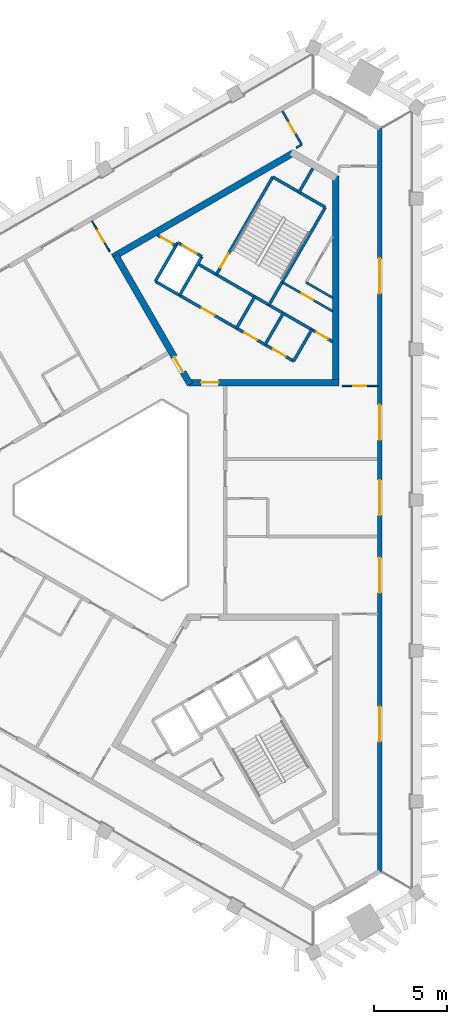
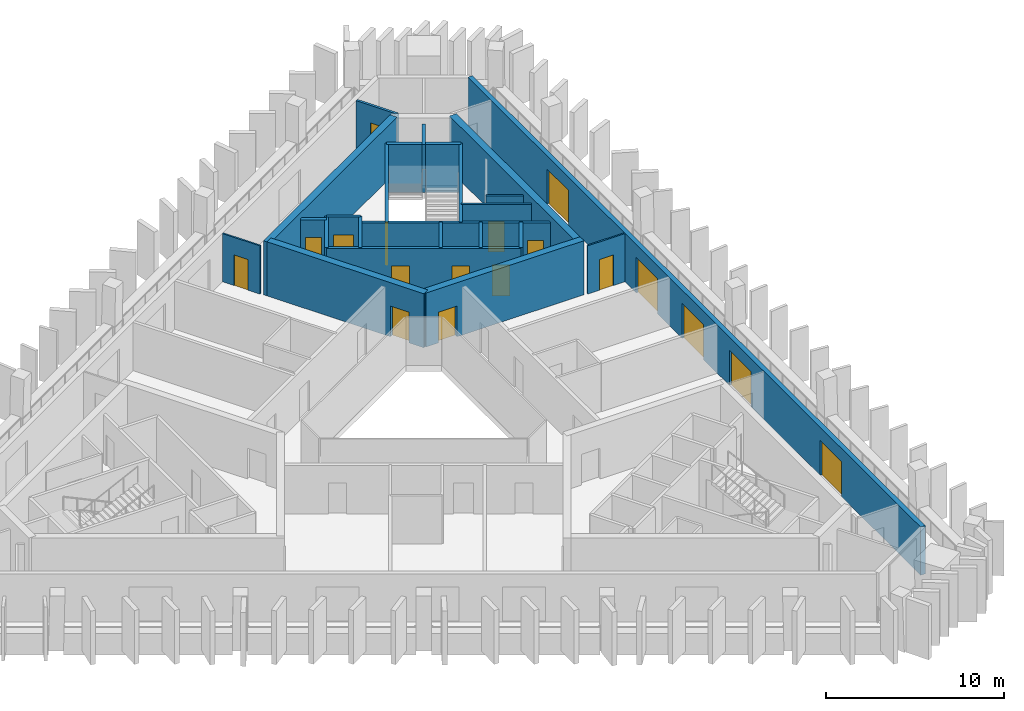
# One storey, part 5 of 9: 24 walls, 18 doors, 18 openings.
"""IFC4 building model written with IfcOpenShell, lengths in metres."""

from ifc_helpers import new_model, si_unit, direction, frame, frame_2d, origin, place, context, subcontext, project, spatial, rectangle, extrude, material, layer, layer_set, type_object, element, fill, save


model = new_model("IFC4")

# Units and contexts
model_context = context("Model", 3, precision=1e-05, world=origin(), true_north=direction((0.0, 1.0)))
body_context = subcontext(model_context, "Body", "Model", "MODEL_VIEW")
ifc_project = project(units=[si_unit("LENGTHUNIT", "METRE"), si_unit("AREAUNIT", "SQUARE_METRE"), si_unit("VOLUMEUNIT", "CUBIC_METRE"), si_unit("PLANEANGLEUNIT", "RADIAN"), si_unit("MASSUNIT", "GRAM", prefix="KILO")], contexts=[model_context])

# Site, building, storey
site_placement = place(None, origin())
site = spatial("IfcSite", under=ifc_project, at=site_placement, CompositionType="ELEMENT")
building_placement = place(site_placement, origin())
building = spatial("IfcBuilding", under=site, at=building_placement, Name="Jabali Bay Hotel Tower and Convention Centre", CompositionType="ELEMENT")
storey_placement = place(building_placement, frame((0.0, 0.0, 220.60009765625)))
storey = spatial("IfcBuildingStorey", under=building, at=storey_placement, Name="L54", CompositionType="ELEMENT", Elevation=220.60009765625)

# Wall
ifc_material_1 = material(Name="Concrete C40", Category="concrete")
ifc_layer_1 = layer(ifc_material_1, 0.199951171875)
ifc_layer_set_1 = layer_set([ifc_layer_1], Name="Concrete C40")
wall_type_1 = type_object("IfcWallType", Name="Core partition wall 200", PredefinedType="PARTITIONING", material=ifc_layer_set_1)
wall_1_placement = place(storey_placement, frame((87.090087890625, 100.9404296875, 0.0), z_axis=(0.0, 0.0, 1.0), x_axis=(0.500011643316, 0.866018681408, 0.0)))
element("IfcWall", 1, at=wall_1_placement, inside=storey, type_object=wall_type_1, Name="Core wall 1.5 L54", PredefinedType="PARTITIONING", context=body_context, shape_type="SweptSolid", body=[
    extrude(rectangle(XDim=1.97314453125, YDim=0.199951171875, at=frame_2d((0.986572265625, 0.0))), origin(), (0.0, 0.0, 1.0), 3.2998046875),
])

# Wall, opening, door
wall_2_placement = place(storey_placement, frame((78.730224609375, 97.36083984375, 0.0), z_axis=(0.0, 0.0, 1.0), x_axis=(-0.866045896294, 0.499964504253, 0.0)))
wall_2 = element("IfcWall", 2, at=wall_2_placement, inside=storey, type_object=wall_type_1, Name="Core wall 1.11 L54", PredefinedType="PARTITIONING", context=body_context, shape_type="SweptSolid", body=[
    extrude(rectangle(XDim=1.455078125, YDim=0.199951171875, at=frame_2d((0.7275390625, 0.0))), origin(), (0.0, 0.0, 1.0), 3.2998046875),
])
opening_1_placement = place(wall_2_placement, frame((0.277587890625, 0.0, 0.0)))
opening_1 = element("IfcOpeningElement", 3, at=opening_1_placement, cuts=wall_2, Name="Opening D1177", PredefinedType="OPENING", context=body_context, shape_type="SweptSolid", body=[
    extrude(rectangle(XDim=0.89990234375, YDim=2.10009765625, at=frame_2d((0.449951171875, 1.050048828125))), frame((0.0, 0.1103515625, 0.0), z_axis=(0.0, -1.0, 0.0), x_axis=(1.0, 0.0, 0.0)), (0.0, 0.0, 1.0), 0.220947265625),
])
ifc_material_2 = material(Name="Fire-rated steel door", Category="steel")
door_type_1 = type_object("IfcDoorType", Name="Vestibule fire door 900 x 2100", OperationType="NOTDEFINED", PredefinedType="NOTDEFINED", material=ifc_material_2)
door_1_placement = place(opening_1_placement, origin())
door_1 = element("IfcDoor", 4, at=door_1_placement, inside=storey, type_object=door_type_1, Name="Vestibule fire door D1177", OperationType="SINGLE_SWING_LEFT", OverallHeight=2.10009765625, OverallWidth=0.89990234375, PredefinedType="NOTDEFINED", context=body_context, shape_type="SweptSolid", body=[
    extrude(rectangle(XDim=0.89990234375, YDim=2.10009765625, at=frame_2d((0.449951171875, 1.050048828125))), frame((0.0, 0.02490234375, 0.0), z_axis=(0.0, -1.0, 0.0), x_axis=(1.0, 0.0, 0.0)), (0.0, 0.0, 1.0), 0.050048828125),
])
fill(opening_1, door_1)

ifc_material_3 = material(Name="Fire-rated board partition")
ifc_layer_2 = layer(ifc_material_3, 0.14990234375)
ifc_layer_set_2 = layer_set([ifc_layer_2], Name="Fire-rated board partition")
wall_type_2 = type_object("IfcWallType", Name="Core room partition 150", PredefinedType="PARTITIONING", material=ifc_layer_set_2)
wall_3_placement = place(storey_placement, frame((89.429931640625, 92.892333984375, 0.0), z_axis=(0.0, 0.0, 1.0), x_axis=(-0.866019912421, 0.500009511199, 0.0)))
wall_3 = element("IfcWall", 5, at=wall_3_placement, inside=storey, type_object=wall_type_2, Name="Core wall 1.13 L54", PredefinedType="PARTITIONING", context=body_context, shape_type="SweptSolid", body=[
    extrude(rectangle(XDim=3.9755859375, YDim=0.14990234375, at=frame_2d((1.98779296875, 0.0))), origin(), (0.0, 0.0, 1.0), 3.2998046875),
])
opening_2_placement = place(wall_3_placement, frame((1.537841796875, 0.0, 0.0)))
opening_2 = element("IfcOpeningElement", 6, at=opening_2_placement, cuts=wall_3, Name="Opening D1176", PredefinedType="OPENING", context=body_context, shape_type="SweptSolid", body=[
    extrude(rectangle(XDim=0.89990234375, YDim=2.10009765625, at=frame_2d((0.449951171875, 1.050048828125))), frame((0.0, 0.08544921875, 0.0), z_axis=(0.0, -1.0, 0.0), x_axis=(1.0, 0.0, 0.0)), (0.0, 0.0, 1.0), 0.1708984375),
])
door_type_2 = type_object("IfcDoorType", Name="Core room door 900 x 2100", OperationType="NOTDEFINED", PredefinedType="NOTDEFINED", material=ifc_material_2)
door_2_placement = place(opening_2_placement, origin())
door_2 = element("IfcDoor", 7, at=door_2_placement, inside=storey, type_object=door_type_2, Name="Core room door D1176", OperationType="SINGLE_SWING_RIGHT", OverallHeight=2.10009765625, OverallWidth=0.89990234375, PredefinedType="NOTDEFINED", context=body_context, shape_type="SweptSolid", body=[
    extrude(rectangle(XDim=0.89990234375, YDim=2.10009765625, at=frame_2d((0.449951171875, 1.050048828125))), frame((0.0, 0.02490234375, 0.0), z_axis=(0.0, -1.0, 0.0), x_axis=(1.0, 0.0, 0.0)), (0.0, 0.0, 1.0), 0.050048828125),
])
fill(opening_2, door_2)

# Walls
wall_4_placement = place(storey_placement, frame((89.429931640625, 93.81591796875, 0.0), z_axis=(0.0, 0.0, 1.0), x_axis=(-0.866004557827, 0.500036104519, 0.0)))
element("IfcWall", 8, at=wall_4_placement, inside=storey, type_object=wall_type_2, Name="Core wall 1.14 L54", PredefinedType="PARTITIONING", context=body_context, shape_type="SweptSolid", body=[
    extrude(rectangle(XDim=2.088623046875, YDim=0.14990234375, at=frame_2d((1.04443359375, 0.0))), origin(), (0.0, 0.0, 1.0), 3.2998046875),
])
ifc_layer_3 = layer(ifc_material_1, 0.199951171875)
ifc_layer_set_3 = layer_set([ifc_layer_3], Name="Concrete C40")
wall_type_3 = type_object("IfcWallType", Name="Core stair wall 200", PredefinedType="SOLIDWALL", material=ifc_layer_set_3)
for number, where, z_axis, x_axis, name in (
    (9, (86.769775390625, 89.48583984375, 0.0), (0.0, 0.0, 1.0), (0.499961042966, 0.86604789447, 0.0), "Core wall 1.0 L54"),
    (10, (84.8212890625, 90.61083984375, 0.0), (0.0, 0.0, 1.0), (0.499961042966, 0.86604789447, 0.0), "Core wall 1.2 L54"),
):
    element("IfcWall", number, at=place(storey_placement, frame(where, z_axis=z_axis, x_axis=x_axis)), inside=storey, type_object=wall_type_3, Name=name, PredefinedType="SOLIDWALL", context=body_context, shape_type="SweptSolid", body=[
        extrude(rectangle(XDim=2.480224609375, YDim=0.199951171875, at=frame_2d((1.240234375, 0.0))), origin(), (0.0, 0.0, 1.0), 3.2998046875),
    ])
wall_5_placement = place(storey_placement, frame((85.0869140625, 93.3212890625, 0.0), z_axis=(0.0, 0.0, 1.0), x_axis=(0.500019787375, 0.866013979237, 0.0)))
element("IfcWall", 11, at=wall_5_placement, inside=storey, type_object=wall_type_3, Name="Core wall 1.3 L54", PredefinedType="SOLIDWALL", context=body_context, shape_type="SweptSolid", body=[
    extrude(rectangle(XDim=7.699951171875, YDim=0.199951171875, at=frame_2d((3.85009765625, 0.0))), origin(), (0.0, 0.0, 1.0), 3.2998046875),
])
wall_6_placement = place(storey_placement, frame((82.872802734375, 91.73583984375, 0.0), z_axis=(0.0, 0.0, 1.0), x_axis=(0.499961042966, 0.86604789447, 0.0)))
element("IfcWall", 12, at=wall_6_placement, inside=storey, type_object=wall_type_3, Name="Core wall 1.4 L54", PredefinedType="SOLIDWALL", context=body_context, shape_type="SweptSolid", body=[
    extrude(rectangle(XDim=2.480224609375, YDim=0.199951171875, at=frame_2d((1.240234375, 0.0))), origin(), (0.0, 0.0, 1.0), 3.2998046875),
])

# Wall, opening, door
wall_7_placement = place(storey_placement, frame((81.492919921875, 95.396240234375, 0.0), z_axis=(0.0, 0.0, 1.0), x_axis=(0.500006057782, 0.866021906294, 0.0)))
wall_7 = element("IfcWall", 13, at=wall_7_placement, inside=storey, type_object=wall_type_3, Name="Core wall 1.6 L54", PredefinedType="SOLIDWALL", context=body_context, shape_type="SweptSolid", body=[
    extrude(rectangle(XDim=7.7001953125, YDim=0.199951171875, at=frame_2d((3.85009765625, 0.0))), origin(), (0.0, 0.0, 1.0), 3.2998046875),
])
opening_3_placement = place(wall_7_placement, frame((0.550048828125, 0.0, 0.0)))
opening_3 = element("IfcOpeningElement", 14, at=opening_3_placement, cuts=wall_7, Name="Opening D1179", PredefinedType="OPENING", context=body_context, shape_type="SweptSolid", body=[
    extrude(rectangle(XDim=1.10009765625, YDim=2.10009765625, at=frame_2d((0.550048828125, 1.050048828125))), frame((0.0, 0.1103515625, 0.0), z_axis=(0.0, -1.0, 0.0), x_axis=(1.0, 0.0, 0.0)), (0.0, 0.0, 1.0), 0.220947265625),
])
door_type_3 = type_object("IfcDoorType", Name="Stair fire door 1100 x 2100", OperationType="NOTDEFINED", PredefinedType="NOTDEFINED", material=ifc_material_2)
door_3_placement = place(opening_3_placement, origin())
door_3 = element("IfcDoor", 15, at=door_3_placement, inside=storey, type_object=door_type_3, Name="Stair fire door D1179", OperationType="SINGLE_SWING_RIGHT", OverallHeight=2.10009765625, OverallWidth=1.10009765625, PredefinedType="NOTDEFINED", context=body_context, shape_type="SweptSolid", body=[
    extrude(rectangle(XDim=1.10009765625, YDim=2.10009765625, at=frame_2d((0.550048828125, 1.050048828125))), frame((0.0, 0.02490234375, 0.0), z_axis=(0.0, -1.0, 0.0), x_axis=(1.0, 0.0, 0.0)), (0.0, 0.0, 1.0), 0.050048828125),
])
fill(opening_3, door_3)

# Walls
for number, where, z_axis, x_axis, name in (
    (16, (78.9755859375, 93.98583984375, 0.0), (0.0, 0.0, 1.0), (0.499944174705, 0.866057632134, 0.0), "Core wall 1.7 L54"),
    (17, (77.330078125, 94.93603515625, 0.0), (0.0, 0.0, 1.0), (0.500038867431, 0.8660029625, 0.0), "Core wall 1.8 L54"),
):
    element("IfcWall", number, at=place(storey_placement, frame(where, z_axis=z_axis, x_axis=x_axis)), inside=storey, type_object=wall_type_3, Name=name, PredefinedType="SOLIDWALL", context=body_context, shape_type="SweptSolid", body=[
        extrude(rectangle(XDim=3.050048828125, YDim=0.199951171875, at=frame_2d((1.52490234375, 0.0))), origin(), (0.0, 0.0, 1.0), 3.2998046875),
    ])

# Wall, openings, doors
wall_8_placement = place(storey_placement, frame((86.769775390625, 89.48583984375, 0.0), z_axis=(0.0, 0.0, 1.0), x_axis=(-0.86601811187, 0.500012629753, 0.0)))
wall_8 = element("IfcWall", 18, at=wall_8_placement, inside=storey, type_object=wall_type_3, Name="Core wall 1.9 L54", PredefinedType="SOLIDWALL", context=body_context, shape_type="SweptSolid", body=[
    extrude(rectangle(XDim=10.900146484375, YDim=0.199951171875, at=frame_2d((5.4501953125, 0.0))), origin(), (0.0, 0.0, 1.0), 3.2998046875),
])
opening_4_placement = place(wall_8_placement, frame((0.625, 0.0, 0.0)))
opening_4 = element("IfcOpeningElement", 19, at=opening_4_placement, cuts=wall_8, Name="Opening D1173", PredefinedType="OPENING", context=body_context, shape_type="SweptSolid", body=[
    extrude(rectangle(XDim=1.0, YDim=2.10009765625, at=frame_2d((0.5, 1.050048828125))), frame((0.0, 0.1103515625, 0.0), z_axis=(0.0, -1.0, 0.0), x_axis=(1.0, 0.0, 0.0)), (0.0, 0.0, 1.0), 0.220947265625),
])
opening_5_placement = place(wall_8_placement, frame((2.875, 0.0, 0.0)))
opening_5 = element("IfcOpeningElement", 20, at=opening_5_placement, cuts=wall_8, Name="Opening D1174", PredefinedType="OPENING", context=body_context, shape_type="SweptSolid", body=[
    extrude(rectangle(XDim=1.0, YDim=2.10009765625, at=frame_2d((0.5, 1.050048828125))), frame((0.0, 0.1103515625, 0.0), z_axis=(0.0, -1.0, 0.0), x_axis=(1.0, 0.0, 0.0)), (0.0, 0.0, 1.0), 0.220947265625),
])
opening_6_placement = place(wall_8_placement, frame((6.25, 0.0, 0.0)))
opening_6 = element("IfcOpeningElement", 21, at=opening_6_placement, cuts=wall_8, Name="Opening D1175", PredefinedType="OPENING", context=body_context, shape_type="SweptSolid", body=[
    extrude(rectangle(XDim=1.0, YDim=2.10009765625, at=frame_2d((0.5, 1.050048828125))), frame((0.0, 0.1103515625, 0.0), z_axis=(0.0, -1.0, 0.0), x_axis=(1.0, 0.0, 0.0)), (0.0, 0.0, 1.0), 0.220947265625),
])
door_type_4 = type_object("IfcDoorType", Name="Core room door 1000 x 2100", OperationType="NOTDEFINED", PredefinedType="NOTDEFINED", material=ifc_material_2)
door_4_placement = place(opening_4_placement, origin())
door_4 = element("IfcDoor", 22, at=door_4_placement, inside=storey, type_object=door_type_4, Name="Core room door D1173", OperationType="SINGLE_SWING_RIGHT", OverallHeight=2.10009765625, OverallWidth=1.0, PredefinedType="NOTDEFINED", context=body_context, shape_type="SweptSolid", body=[
    extrude(rectangle(XDim=1.0, YDim=2.10009765625, at=frame_2d((0.5, 1.050048828125))), frame((0.0, 0.02490234375, 0.0), z_axis=(0.0, -1.0, 0.0), x_axis=(1.0, 0.0, 0.0)), (0.0, 0.0, 1.0), 0.050048828125),
])
fill(opening_4, door_4)
door_5_placement = place(opening_5_placement, origin())
door_5 = element("IfcDoor", 23, at=door_5_placement, inside=storey, type_object=door_type_4, Name="Core room door D1174", OperationType="SINGLE_SWING_RIGHT", OverallHeight=2.10009765625, OverallWidth=1.0, PredefinedType="NOTDEFINED", context=body_context, shape_type="SweptSolid", body=[
    extrude(rectangle(XDim=1.0, YDim=2.10009765625, at=frame_2d((0.5, 1.050048828125))), frame((0.0, 0.02490234375, 0.0), z_axis=(0.0, -1.0, 0.0), x_axis=(1.0, 0.0, 0.0)), (0.0, 0.0, 1.0), 0.050048828125),
])
fill(opening_5, door_5)
door_6_placement = place(opening_6_placement, origin())
door_6 = element("IfcDoor", 24, at=door_6_placement, inside=storey, type_object=door_type_4, Name="Core room door D1175", OperationType="SINGLE_SWING_RIGHT", OverallHeight=2.10009765625, OverallWidth=1.0, PredefinedType="NOTDEFINED", context=body_context, shape_type="SweptSolid", body=[
    extrude(rectangle(XDim=1.0, YDim=2.10009765625, at=frame_2d((0.5, 1.050048828125))), frame((0.0, 0.02490234375, 0.0), z_axis=(0.0, -1.0, 0.0), x_axis=(1.0, 0.0, 0.0)), (0.0, 0.0, 1.0), 0.050048828125),
])
fill(opening_6, door_6)

# Wall, opening, door
wall_9_placement = place(storey_placement, frame((89.429931640625, 90.813720703125, 0.0), z_axis=(0.0, 0.0, 1.0), x_axis=(-0.866018983788, 0.500011119594, 0.0)))
wall_9 = element("IfcWall", 25, at=wall_9_placement, inside=storey, type_object=wall_type_3, Name="Core wall 1.10 L54", PredefinedType="SOLIDWALL", context=body_context, shape_type="SweptSolid", body=[
    extrude(rectangle(XDim=10.639892578125, YDim=0.199951171875, at=frame_2d((5.31982421875, 0.0))), origin(), (0.0, 0.0, 1.0), 3.2998046875),
])
opening_7_placement = place(wall_9_placement, frame((0.369873046875, 0.0, 0.0)))
opening_7 = element("IfcOpeningElement", 26, at=opening_7_placement, cuts=wall_9, Name="Opening D1178", PredefinedType="OPENING", context=body_context, shape_type="SweptSolid", body=[
    extrude(rectangle(XDim=0.89990234375, YDim=2.10009765625, at=frame_2d((0.449951171875, 1.050048828125))), frame((0.0, 0.1103515625, 0.0), z_axis=(0.0, -1.0, 0.0), x_axis=(1.0, 0.0, 0.0)), (0.0, 0.0, 1.0), 0.220947265625),
])
door_7_placement = place(opening_7_placement, origin())
door_7 = element("IfcDoor", 27, at=door_7_placement, inside=storey, type_object=door_type_1, Name="Vestibule fire door D1178", OperationType="SINGLE_SWING_LEFT", OverallHeight=2.10009765625, OverallWidth=0.89990234375, PredefinedType="NOTDEFINED", context=body_context, shape_type="SweptSolid", body=[
    extrude(rectangle(XDim=0.89990234375, YDim=2.10009765625, at=frame_2d((0.449951171875, 1.050048828125))), frame((0.0, 0.02490234375, 0.0), z_axis=(0.0, -1.0, 0.0), x_axis=(1.0, 0.0, 0.0)), (0.0, 0.0, 1.0), 0.050048828125),
])
fill(opening_7, door_7)

wall_10_placement = place(storey_placement, frame((80.50048828125, 96.62744140625, 0.0), z_axis=(0.0, 0.0, 1.0), x_axis=(-0.86601224135, 0.500022797313, 0.0)))
wall_10 = element("IfcWall", 28, at=wall_10_placement, inside=storey, type_object=wall_type_3, Name="Core wall 1.12 L54", PredefinedType="SOLIDWALL", context=body_context, shape_type="SweptSolid", body=[
    extrude(rectangle(XDim=1.89990234375, YDim=0.199951171875, at=frame_2d((0.949951171875, 0.0))), origin(), (0.0, 0.0, 1.0), 3.2998046875),
])
opening_8_placement = place(wall_10_placement, frame((0.39990234375, 0.0, 0.0)))
opening_8 = element("IfcOpeningElement", 29, at=opening_8_placement, cuts=wall_10, Name="Opening LD10-L54", PredefinedType="OPENING", context=body_context, shape_type="SweptSolid", body=[
    extrude(rectangle(XDim=1.10009765625, YDim=2.10009765625, at=frame_2d((0.550048828125, 1.050048828125))), frame((0.0, 0.1103515625, 0.0), z_axis=(0.0, -1.0, 0.0), x_axis=(1.0, 0.0, 0.0)), (0.0, 0.0, 1.0), 0.220947265625),
])
ifc_material_4 = material(Name="Stainless steel landing door", Category="steel")
door_type_5 = type_object("IfcDoorType", Name="Landing door 1100 x 2100", OperationType="NOTDEFINED", PredefinedType="NOTDEFINED", material=ifc_material_4)
door_8_placement = place(opening_8_placement, origin())
door_8 = element("IfcDoor", 30, at=door_8_placement, inside=storey, type_object=door_type_5, Name="Landing doors LD10-L54", OperationType="SLIDING_TO_RIGHT", OverallHeight=2.10009765625, OverallWidth=1.10009765625, PredefinedType="NOTDEFINED", context=body_context, shape_type="SweptSolid", body=[
    extrude(rectangle(XDim=1.10009765625, YDim=2.10009765625, at=frame_2d((0.550048828125, 1.050048828125))), frame((0.0, 0.02490234375, 0.0), z_axis=(0.0, -1.0, 0.0), x_axis=(1.0, 0.0, 0.0)), (0.0, 0.0, 1.0), 0.050048828125),
])
fill(opening_8, door_8)

# Wall
wall_11_placement = place(storey_placement, frame((88.93701171875, 99.989501953125, 0.0), z_axis=(0.0, 0.0, 1.0), x_axis=(-0.866004344652, 0.500036473714, 0.0)))
element("IfcWall", 31, at=wall_11_placement, inside=storey, type_object=wall_type_3, Name="Core wall 1.15 L54", PredefinedType="SOLIDWALL", context=body_context, shape_type="SweptSolid", body=[
    extrude(rectangle(XDim=4.150146484375, YDim=0.199951171875, at=frame_2d((2.0751953125, 0.0))), origin(), (0.0, 0.0, 1.0), 3.2998046875),
])

# Wall, opening, door
ifc_material_5 = material(Name="Concrete C60", Category="concrete")
ifc_layer_4 = layer(ifc_material_5, 0.449951171875)
ifc_layer_set_4 = layer_set([ifc_layer_4], Name="Concrete C60")
wall_type_4 = type_object("IfcWallType", Name="Core wall 450", PredefinedType="SHEAR", material=ifc_layer_set_4)
wall_12_placement = place(storey_placement, frame((79.6298828125, 88.019287109375, 0.0), z_axis=(0.0, 0.0, 1.0), x_axis=(1.0, 0.0, 0.0)))
wall_12 = element("IfcWall", 32, at=wall_12_placement, inside=storey, type_object=wall_type_4, Name="Core wall 2.1 L54", PredefinedType="SHEAR", context=body_context, shape_type="SweptSolid", body=[
    extrude(rectangle(XDim=10.25, YDim=0.449951171875, at=frame_2d((5.125, 0.0))), origin(), (0.0, 0.0, 1.0), 3.699951171875),
])
opening_9_placement = place(wall_12_placement, frame((0.820068359375, 0.0, 0.0)))
opening_9 = element("IfcOpeningElement", 33, at=opening_9_placement, cuts=wall_12, Name="Opening D1171", PredefinedType="OPENING", context=body_context, shape_type="SweptSolid", body=[
    extrude(rectangle(XDim=1.199951171875, YDim=2.10009765625, at=frame_2d((0.60009765625, 1.050048828125))), frame((0.0, 0.2353515625, 0.0), z_axis=(0.0, -1.0, 0.0), x_axis=(1.0, 0.0, 0.0)), (0.0, 0.0, 1.0), 0.470947265625),
])
door_type_6 = type_object("IfcDoorType", Name="Corridor end fire door 1200 x 2100", OperationType="NOTDEFINED", PredefinedType="NOTDEFINED", material=ifc_material_2)
door_9_placement = place(opening_9_placement, origin())
door_9 = element("IfcDoor", 34, at=door_9_placement, inside=storey, type_object=door_type_6, Name="Corridor end fire door D1171", OperationType="SINGLE_SWING_RIGHT", OverallHeight=2.10009765625, OverallWidth=1.199951171875, PredefinedType="NOTDEFINED", context=body_context, shape_type="SweptSolid", body=[
    extrude(rectangle(XDim=1.199951171875, YDim=2.10009765625, at=frame_2d((0.60009765625, 1.050048828125))), frame((0.0, 0.02490234375, 0.0), z_axis=(0.0, -1.0, 0.0), x_axis=(1.0, 0.0, 0.0)), (0.0, 0.0, 1.0), 0.050048828125),
])
fill(opening_9, door_9)

# Walls
wall_13_placement = place(storey_placement, frame((89.655029296875, 88.019287109375, 0.0), z_axis=(0.0, 0.0, 1.0), x_axis=(0.0, 1.0, 0.0)))
element("IfcWall", 35, at=wall_13_placement, inside=storey, type_object=wall_type_4, Name="Core wall 2.2 L54", PredefinedType="SHEAR", context=body_context, shape_type="SweptSolid", body=[
    extrude(rectangle(XDim=14.1083984375, YDim=0.449951171875, at=frame_2d((7.05419921875, 0.0))), origin(), (0.0, 0.0, 1.0), 3.699951171875),
])
wall_14_placement = place(storey_placement, frame((86.72314453125, 103.6904296875, 0.0), z_axis=(0.0, 0.0, 1.0), x_axis=(-0.866022713978, -0.500004658852, 0.0)))
element("IfcWall", 36, at=wall_14_placement, inside=storey, type_object=wall_type_4, Name="Core wall 2.4 L54", PredefinedType="SHEAR", context=body_context, shape_type="SweptSolid", body=[
    extrude(rectangle(XDim=14.203369140625, YDim=0.449951171875, at=frame_2d((7.1015625, 0.0))), origin(), (0.0, 0.0, 1.0), 3.699951171875),
])

# Wall, opening, door
wall_15_placement = place(storey_placement, frame((74.617431640625, 96.701171875, 0.0), z_axis=(0.0, 0.0, 1.0), x_axis=(0.499994385119, -0.866028645513, 0.0)))
wall_15 = element("IfcWall", 37, at=wall_15_placement, inside=storey, type_object=wall_type_4, Name="Core wall 2.5 L54", PredefinedType="SHEAR", context=body_context, shape_type="SweptSolid", body=[
    extrude(rectangle(XDim=10.15478515625, YDim=0.449951171875, at=frame_2d((5.077392578125, 0.0))), origin(), (0.0, 0.0, 1.0), 3.699951171875),
])
opening_10_placement = place(wall_15_placement, frame((8.0048828125, 0.0, 0.0)))
opening_10 = element("IfcOpeningElement", 38, at=opening_10_placement, cuts=wall_15, Name="Opening D1172", PredefinedType="OPENING", context=body_context, shape_type="SweptSolid", body=[
    extrude(rectangle(XDim=1.199951171875, YDim=2.10009765625, at=frame_2d((0.60009765625, 1.050048828125))), frame((0.0, 0.2353515625, 0.0), z_axis=(0.0, -1.0, 0.0), x_axis=(1.0, 0.0, 0.0)), (0.0, 0.0, 1.0), 0.470947265625),
])
door_10_placement = place(opening_10_placement, origin())
door_10 = element("IfcDoor", 39, at=door_10_placement, inside=storey, type_object=door_type_6, Name="Corridor end fire door D1172", OperationType="SINGLE_SWING_LEFT", OverallHeight=2.10009765625, OverallWidth=1.199951171875, PredefinedType="NOTDEFINED", context=body_context, shape_type="SweptSolid", body=[
    extrude(rectangle(XDim=1.199951171875, YDim=2.10009765625, at=frame_2d((0.60009765625, 1.050048828125))), frame((0.0, 0.02490234375, 0.0), z_axis=(0.0, -1.0, 0.0), x_axis=(1.0, 0.0, 0.0)), (0.0, 0.0, 1.0), 0.050048828125),
])
fill(opening_10, door_10)

# Wall, openings, doors
ifc_layer_5 = layer(ifc_material_1, 0.300048828125)
ifc_layer_set_5 = layer_set([ifc_layer_5], Name="Concrete C40")
wall_type_5 = type_object("IfcWallType", Name="External wall 300", PredefinedType="SOLIDWALL", material=ifc_layer_set_5)
wall_16_placement = place(storey_placement, frame((92.652099609375, 105.381103515625, 0.0), z_axis=(0.0, 0.0, 1.0), x_axis=(0.0, -1.0, 0.0)))
wall_16 = element("IfcWall", 40, at=wall_16_placement, inside=storey, type_object=wall_type_5, Name="External wall east face L54", PredefinedType="SOLIDWALL", context=body_context, shape_type="SweptSolid", body=[
    extrude(rectangle(XDim=50.76220703125, YDim=0.300048828125, at=frame_2d((25.381103515625, 0.0))), origin(), (0.0, 0.0, 1.0), 3.2998046875),
])
opening_11_placement = place(wall_16_placement, frame((29.3251953125, 0.0, 0.0)))
opening_11 = element("IfcOpeningElement", 41, at=opening_11_placement, cuts=wall_16, Name="Opening SD1", PredefinedType="OPENING", context=body_context, shape_type="SweptSolid", body=[
    extrude(rectangle(XDim=2.39990234375, YDim=2.39990234375, at=frame_2d((1.199951171875, 1.199951171875))), frame((0.0, 0.16064453125, 0.0), z_axis=(0.0, -1.0, 0.0), x_axis=(1.0, 0.0, 0.0)), (0.0, 0.0, 1.0), 0.321044921875),
])
opening_12_placement = place(wall_16_placement, frame((39.49169921875, 0.0, 0.0)))
opening_12 = element("IfcOpeningElement", 42, at=opening_12_placement, cuts=wall_16, Name="Opening SD1", PredefinedType="OPENING", context=body_context, shape_type="SweptSolid", body=[
    extrude(rectangle(XDim=2.39990234375, YDim=2.39990234375, at=frame_2d((1.199951171875, 1.199951171875))), frame((0.0, 0.16064453125, 0.0), z_axis=(0.0, -1.0, 0.0), x_axis=(1.0, 0.0, 0.0)), (0.0, 0.0, 1.0), 0.321044921875),
])
opening_13_placement = place(wall_16_placement, frame((18.881103515625, 0.0, 0.0)))
opening_13 = element("IfcOpeningElement", 43, at=opening_13_placement, cuts=wall_16, Name="Opening SD1", PredefinedType="OPENING", context=body_context, shape_type="SweptSolid", body=[
    extrude(rectangle(XDim=2.39990234375, YDim=2.39990234375, at=frame_2d((1.199951171875, 1.199951171875))), frame((0.0, 0.16064453125, 0.0), z_axis=(0.0, -1.0, 0.0), x_axis=(1.0, 0.0, 0.0)), (0.0, 0.0, 1.0), 0.321044921875),
])
opening_14_placement = place(wall_16_placement, frame((8.8779296875, 0.0, 0.0)))
opening_14 = element("IfcOpeningElement", 44, at=opening_14_placement, cuts=wall_16, Name="Opening SD1", PredefinedType="OPENING", context=body_context, shape_type="SweptSolid", body=[
    extrude(rectangle(XDim=2.39990234375, YDim=2.39990234375, at=frame_2d((1.199951171875, 1.199951171875))), frame((0.0, 0.16064453125, 0.0), z_axis=(0.0, -1.0, 0.0), x_axis=(1.0, 0.0, 0.0)), (0.0, 0.0, 1.0), 0.321044921875),
])
opening_15_placement = place(wall_16_placement, frame((24.025146484375, 0.0, 0.0)))
opening_15 = element("IfcOpeningElement", 45, at=opening_15_placement, cuts=wall_16, Name="Opening SD1", PredefinedType="OPENING", context=body_context, shape_type="SweptSolid", body=[
    extrude(rectangle(XDim=2.39990234375, YDim=2.39990234375, at=frame_2d((1.199951171875, 1.199951171875))), frame((0.0, 0.16064453125, 0.0), z_axis=(0.0, -1.0, 0.0), x_axis=(1.0, 0.0, 0.0)), (0.0, 0.0, 1.0), 0.321044921875),
])
ifc_material_6 = material(Name="Glass", Category="glass")
door_type_7 = type_object("IfcDoorType", Name="Loggia sliding door 2400 x 2400", OperationType="NOTDEFINED", PredefinedType="NOTDEFINED", material=ifc_material_6)
door_11_placement = place(opening_11_placement, origin())
door_11 = element("IfcDoor", 46, at=door_11_placement, inside=storey, type_object=door_type_7, Name="Loggia sliding door 5401", OperationType="SLIDING_TO_LEFT", OverallHeight=2.39990234375, OverallWidth=2.39990234375, PredefinedType="NOTDEFINED", context=body_context, shape_type="SweptSolid", body=[
    extrude(rectangle(XDim=2.39990234375, YDim=2.39990234375, at=frame_2d((1.199951171875, 1.199951171875))), frame((0.0, 0.02490234375, 0.0), z_axis=(0.0, -1.0, 0.0), x_axis=(1.0, 0.0, 0.0)), (0.0, 0.0, 1.0), 0.050048828125),
])
fill(opening_11, door_11)
door_12_placement = place(opening_12_placement, origin())
door_12 = element("IfcDoor", 47, at=door_12_placement, inside=storey, type_object=door_type_7, Name="Loggia sliding door 5401", OperationType="SLIDING_TO_RIGHT", OverallHeight=2.39990234375, OverallWidth=2.39990234375, PredefinedType="NOTDEFINED", context=body_context, shape_type="SweptSolid", body=[
    extrude(rectangle(XDim=2.39990234375, YDim=2.39990234375, at=frame_2d((1.199951171875, 1.199951171875))), frame((0.0, 0.02490234375, 0.0), z_axis=(0.0, -1.0, 0.0), x_axis=(1.0, 0.0, 0.0)), (0.0, 0.0, 1.0), 0.050048828125),
])
fill(opening_12, door_12)
door_13_placement = place(opening_13_placement, origin())
door_13 = element("IfcDoor", 48, at=door_13_placement, inside=storey, type_object=door_type_7, Name="Loggia sliding door 5403", OperationType="SLIDING_TO_LEFT", OverallHeight=2.39990234375, OverallWidth=2.39990234375, PredefinedType="NOTDEFINED", context=body_context, shape_type="SweptSolid", body=[
    extrude(rectangle(XDim=2.39990234375, YDim=2.39990234375, at=frame_2d((1.199951171875, 1.199951171875))), frame((0.0, 0.02490234375, 0.0), z_axis=(0.0, -1.0, 0.0), x_axis=(1.0, 0.0, 0.0)), (0.0, 0.0, 1.0), 0.050048828125),
])
fill(opening_13, door_13)
door_14_placement = place(opening_14_placement, origin())
door_14 = element("IfcDoor", 49, at=door_14_placement, inside=storey, type_object=door_type_7, Name="Loggia sliding door 5403", OperationType="SLIDING_TO_RIGHT", OverallHeight=2.39990234375, OverallWidth=2.39990234375, PredefinedType="NOTDEFINED", context=body_context, shape_type="SweptSolid", body=[
    extrude(rectangle(XDim=2.39990234375, YDim=2.39990234375, at=frame_2d((1.199951171875, 1.199951171875))), frame((0.0, 0.02490234375, 0.0), z_axis=(0.0, -1.0, 0.0), x_axis=(1.0, 0.0, 0.0)), (0.0, 0.0, 1.0), 0.050048828125),
])
fill(opening_14, door_14)
door_15_placement = place(opening_15_placement, origin())
door_15 = element("IfcDoor", 50, at=door_15_placement, inside=storey, type_object=door_type_7, Name="Loggia sliding door 5402", OperationType="SLIDING_TO_LEFT", OverallHeight=2.39990234375, OverallWidth=2.39990234375, PredefinedType="NOTDEFINED", context=body_context, shape_type="SweptSolid", body=[
    extrude(rectangle(XDim=2.39990234375, YDim=2.39990234375, at=frame_2d((1.199951171875, 1.199951171875))), frame((0.0, 0.02490234375, 0.0), z_axis=(0.0, -1.0, 0.0), x_axis=(1.0, 0.0, 0.0)), (0.0, 0.0, 1.0), 0.050048828125),
])
fill(opening_15, door_15)

# Wall, opening, door
ifc_material_7 = material(Name="Plasterboard on steel stud", Category="steel")
ifc_layer_6 = layer(ifc_material_7, 0.10009765625)
ifc_layer_set_6 = layer_set([ifc_layer_6], Name="Plasterboard on steel stud")
wall_type_6 = type_object("IfcWallType", Name="Partition 100 unit", PredefinedType="PARTITIONING", material=ifc_layer_set_6)
wall_17_placement = place(storey_placement, frame((92.5029296875, 87.794189453125, 0.0), z_axis=(0.0, 0.0, 1.0), x_axis=(-1.0, 0.0, 0.0)))
wall_17 = element("IfcWall", 51, at=wall_17_placement, inside=storey, type_object=wall_type_6, Name="Partition P02 L54 010", PredefinedType="PARTITIONING", context=body_context, shape_type="SweptSolid", body=[
    extrude(rectangle(XDim=2.423828125, YDim=0.10009765625, at=frame_2d((1.2119140625, 0.0))), origin(), (0.0, 0.0, 1.0), 3.2998046875),
])
opening_16_placement = place(wall_17_placement, frame((0.761962890625, 0.0, 0.0)))
opening_16 = element("IfcOpeningElement", 52, at=opening_16_placement, cuts=wall_17, Name="Opening 5407", PredefinedType="OPENING", context=body_context, shape_type="SweptSolid", body=[
    extrude(rectangle(XDim=0.89990234375, YDim=2.10009765625, at=frame_2d((0.449951171875, 1.050048828125))), frame((0.0, 0.060546875, 0.0), z_axis=(0.0, -1.0, 0.0), x_axis=(1.0, 0.0, 0.0)), (0.0, 0.0, 1.0), 0.12109375),
])
ifc_material_8 = material(Name="Timber", Category="wood")
door_type_8 = type_object("IfcDoorType", Name="Internal door 900 x 2100", OperationType="NOTDEFINED", PredefinedType="NOTDEFINED", material=ifc_material_8)
door_16_placement = place(opening_16_placement, origin())
door_16 = element("IfcDoor", 53, at=door_16_placement, inside=storey, type_object=door_type_8, Name="Door 5407", OperationType="SINGLE_SWING_RIGHT", OverallHeight=2.10009765625, OverallWidth=0.89990234375, PredefinedType="NOTDEFINED", context=body_context, shape_type="SweptSolid", body=[
    extrude(rectangle(XDim=0.89990234375, YDim=2.10009765625, at=frame_2d((0.449951171875, 1.050048828125))), frame((0.0, 0.02490234375, 0.0), z_axis=(0.0, -1.0, 0.0), x_axis=(1.0, 0.0, 0.0)), (0.0, 0.0, 1.0), 0.050048828125),
])
fill(opening_16, door_16)

wall_18_placement = place(storey_placement, frame((74.21044921875, 96.955810546875, 0.0), z_axis=(0.0, 0.0, 1.0), x_axis=(-0.49995203611, 0.866053093978, 0.0)))
wall_18 = element("IfcWall", 54, at=wall_18_placement, inside=storey, type_object=wall_type_6, Name="Partition P02 L54 014", PredefinedType="PARTITIONING", context=body_context, shape_type="SweptSolid", body=[
    extrude(rectangle(XDim=2.424072265625, YDim=0.10009765625, at=frame_2d((1.2119140625, 0.0))), origin(), (0.0, 0.0, 1.0), 3.2998046875),
])
opening_17_placement = place(wall_18_placement, frame((0.761962890625, 0.0, 0.0)))
opening_17 = element("IfcOpeningElement", 55, at=opening_17_placement, cuts=wall_18, Name="Opening 5410", PredefinedType="OPENING", context=body_context, shape_type="SweptSolid", body=[
    extrude(rectangle(XDim=0.89990234375, YDim=2.10009765625, at=frame_2d((0.449951171875, 1.050048828125))), frame((0.0, 0.060546875, 0.0), z_axis=(0.0, -1.0, 0.0), x_axis=(1.0, 0.0, 0.0)), (0.0, 0.0, 1.0), 0.12109375),
])
door_17_placement = place(opening_17_placement, origin())
door_17 = element("IfcDoor", 56, at=door_17_placement, inside=storey, type_object=door_type_8, Name="Door 5410", OperationType="SINGLE_SWING_RIGHT", OverallHeight=2.10009765625, OverallWidth=0.89990234375, PredefinedType="NOTDEFINED", context=body_context, shape_type="SweptSolid", body=[
    extrude(rectangle(XDim=0.89990234375, YDim=2.10009765625, at=frame_2d((0.449951171875, 1.050048828125))), frame((0.0, 0.02490234375, 0.0), z_axis=(0.0, -1.0, 0.0), x_axis=(1.0, 0.0, 0.0)), (0.0, 0.0, 1.0), 0.050048828125),
])
fill(opening_17, door_17)

# Wall
ifc_layer_7 = layer(ifc_material_7, 0.14990234375)
ifc_layer_set_7 = layer_set([ifc_layer_7], Name="Plasterboard on steel stud")
wall_type_7 = type_object("IfcWallType", Name="Partition 150 wet", PredefinedType="PARTITIONING", material=ifc_layer_set_7)
wall_19_placement = place(storey_placement, frame((86.941162109375, 104.05419921875, 0.0), z_axis=(0.0, 0.0, 1.0), x_axis=(0.866019606374, 0.500010041276, 0.0)))
element("IfcWall", 57, at=wall_19_placement, inside=storey, type_object=wall_type_7, Name="Partition P03 L54 017", PredefinedType="PARTITIONING", context=body_context, shape_type="SweptSolid", body=[
    extrude(rectangle(XDim=0.44091796875, YDim=0.14990234375, at=frame_2d((0.220458984375, 0.0))), origin(), (0.0, 0.0, 1.0), 3.2998046875),
])

# Wall, opening, door
wall_20_placement = place(storey_placement, frame((87.322998046875, 104.274658203125, 0.0), z_axis=(0.0, 0.0, 1.0), x_axis=(-0.50000507839, 0.866022471755, 0.0)))
wall_20 = element("IfcWall", 58, at=wall_20_placement, inside=storey, type_object=wall_type_7, Name="Partition P03 L54 018", PredefinedType="PARTITIONING", context=body_context, shape_type="SweptSolid", body=[
    extrude(rectangle(XDim=2.64208984375, YDim=0.14990234375, at=frame_2d((1.321044921875, 0.0))), origin(), (0.0, 0.0, 1.0), 3.2998046875),
])
opening_18_placement = place(wall_20_placement, frame((0.9208984375, 0.0, 0.0)))
opening_18 = element("IfcOpeningElement", 59, at=opening_18_placement, cuts=wall_20, Name="Opening 5411", PredefinedType="OPENING", context=body_context, shape_type="SweptSolid", body=[
    extrude(rectangle(XDim=0.800048828125, YDim=2.10009765625, at=frame_2d((0.39990234375, 1.050048828125))), frame((0.0, 0.08544921875, 0.0), z_axis=(0.0, -1.0, 0.0), x_axis=(1.0, 0.0, 0.0)), (0.0, 0.0, 1.0), 0.1708984375),
])
door_type_9 = type_object("IfcDoorType", Name="En-suite door 800 x 2100", OperationType="NOTDEFINED", PredefinedType="NOTDEFINED", material=ifc_material_8)
door_18_placement = place(opening_18_placement, origin())
door_18 = element("IfcDoor", 60, at=door_18_placement, inside=storey, type_object=door_type_9, Name="Door 5411", OperationType="SINGLE_SWING_LEFT", OverallHeight=2.10009765625, OverallWidth=0.800048828125, PredefinedType="NOTDEFINED", context=body_context, shape_type="SweptSolid", body=[
    extrude(rectangle(XDim=0.800048828125, YDim=2.10009765625, at=frame_2d((0.39990234375, 1.050048828125))), frame((0.0, 0.02490234375, 0.0), z_axis=(0.0, -1.0, 0.0), x_axis=(1.0, 0.0, 0.0)), (0.0, 0.0, 1.0), 0.050048828125),
])
fill(opening_18, door_18)

save(model, "model.ifc")
